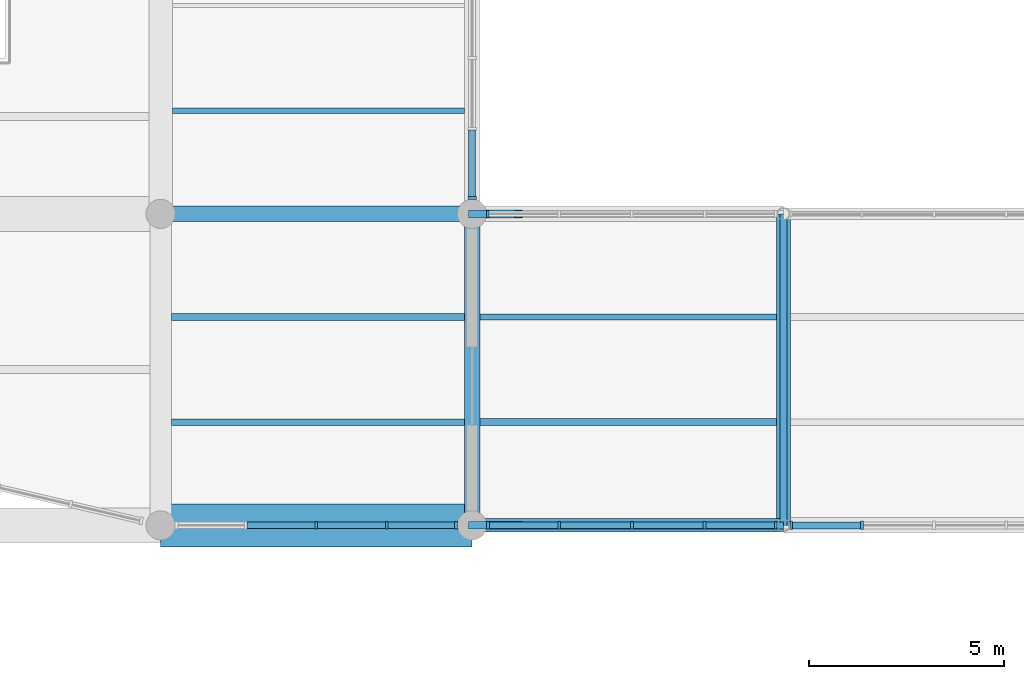
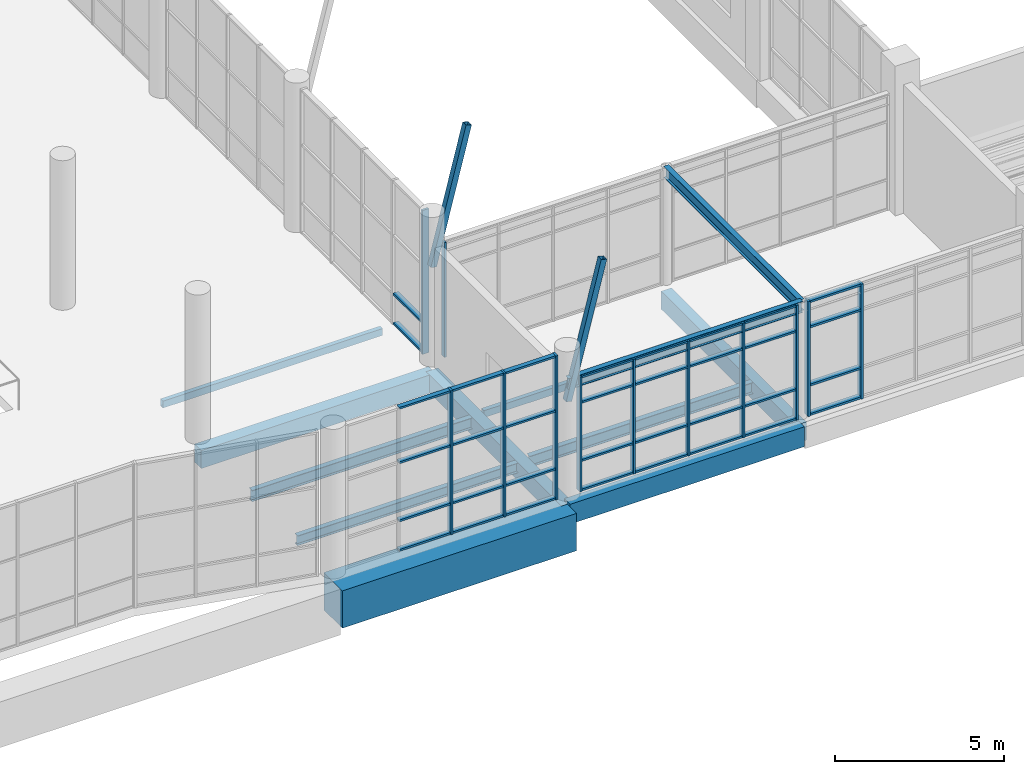
# One storey, part 27 of 122: 48 members, 12 beams, 5 elements without a shape of their own.
"""IFC4 building model written with IfcOpenShell, lengths in metres."""

import ifcopenshell
import ifcopenshell.guid

model = None  # the IFC model being written
_history = None  # IfcOwnerHistory: only IFC2X3 demands one
_inside = {}  # id of a spatial element -> (the spatial element, [elements in it])
_under = {}  # id of a project, library or spatial element -> (it, [spatial elements below it])
_declared = {}  # id of a project -> (the project, [libraries it declares])
_typed = {}  # id of a type object -> (the type object, [elements of that type])
_made_of = {}  # id of a material, layer set ... -> (it, [elements and type objects made of it])


def new_model(schema):
    """Start an empty IFC model of exactly this schema.

    Asked for "IFC4X3", IfcOpenShell would pick the latest addendum, in which some entities
    have other attributes; the version numbers below select the first issue.
    IFC2X3 requires an IfcOwnerHistory on every rooted entity: one is made here for all.
    """
    global model, _history
    if schema == "IFC4X3":
        model = ifcopenshell.file(schema_version=(4, 3, 0, 0))
    else:
        model = ifcopenshell.file(schema=schema)
    _inside.clear()
    _under.clear()
    _declared.clear()
    _typed.clear()
    _made_of.clear()
    _history = None
    if model.schema == "IFC2X3":
        org = make("IfcOrganization", Name="unknown")
        user = make(
            "IfcPersonAndOrganization",
            ThePerson=make("IfcPerson", FamilyName="unknown"),
            TheOrganization=org,
        )
        app = make(
            "IfcApplication",
            ApplicationDeveloper=org,
            Version="unknown",
            ApplicationFullName="unknown",
            ApplicationIdentifier="unknown",
        )
        _history = make(
            "IfcOwnerHistory",
            OwningUser=user,
            OwningApplication=app,
            ChangeAction="ADDED",
            CreationDate=0,
        )
    return model


def make(cls, **values):
    """One entity of the class cls with the attributes given. An attribute that is None is left unset."""
    return model.create_entity(
        cls, **{name: value for name, value in values.items() if value is not None}
    )


def rooted(cls, **values):
    """An entity with a GlobalId (a new one), such as an element, a storey or a relation."""
    return make(cls, GlobalId=ifcopenshell.guid.new(), OwnerHistory=_history, **values)


def si_unit(unit_type, name, prefix=None):
    """IfcSIUnit, for example si_unit("LENGTHUNIT", "METRE", prefix="MILLI")."""
    return make("IfcSIUnit", UnitType=unit_type, Prefix=prefix, Name=name)


def assignment(units):
    """IfcUnitAssignment: the units of a project."""
    return None if units is None else make("IfcUnitAssignment", Units=units)


def point(xyz):
    """IfcCartesianPoint."""
    return None if xyz is None else make("IfcCartesianPoint", Coordinates=xyz)


def direction(xyz):
    """IfcDirection."""
    return None if xyz is None else make("IfcDirection", DirectionRatios=xyz)


def frame(location, z_axis=None, x_axis=None):
    """IfcAxis2Placement3D, a coordinate frame: its origin and axes. An axis left out is left unset."""
    return make(
        "IfcAxis2Placement3D",
        Location=point(location),
        Axis=direction(z_axis),
        RefDirection=direction(x_axis),
    )


def frame_2d(location, x_axis=None):
    """IfcAxis2Placement2D, a coordinate frame in the plane: its origin and x axis."""
    return make(
        "IfcAxis2Placement2D", Location=point(location), RefDirection=direction(x_axis)
    )


def origin():
    """The frame at (0, 0, 0) with its axes left unset."""
    return frame((0.0, 0.0, 0.0))


def origin_2d():
    """The frame at (0, 0) in the plane with its x axis left unset."""
    return frame_2d((0.0, 0.0))


def place(relative_to, where):
    """IfcLocalPlacement: puts the frame where relative to a parent placement (None: the world)."""
    return make(
        "IfcLocalPlacement", PlacementRelTo=relative_to, RelativePlacement=where
    )


def context(
    kind, dimensions, precision=None, world=None, true_north=None, identifier=None
):
    """IfcGeometricRepresentationContext, for example the 3D "Model" context."""
    return make(
        "IfcGeometricRepresentationContext",
        ContextIdentifier=identifier,
        ContextType=kind,
        CoordinateSpaceDimension=dimensions,
        Precision=precision,
        WorldCoordinateSystem=world,
        TrueNorth=true_north,
    )


def subcontext(parent, identifier, kind, view, scale=None):
    """IfcGeometricRepresentationSubContext, for example "Body" below "Model"."""
    return make(
        "IfcGeometricRepresentationSubContext",
        ContextIdentifier=identifier,
        ContextType=kind,
        ParentContext=parent,
        TargetScale=scale,
        TargetView=view,
    )


def project(units=None, contexts=None):
    """IfcProject with its units and contexts."""
    return rooted(
        "IfcProject",
        Name="project",
        RepresentationContexts=contexts,
        UnitsInContext=assignment(units),
    )


def spatial(cls, under=None, at=None, **own):
    """A site, building, storey or space (cls), placed at a placement, below another one or the project."""
    s = rooted(cls, ObjectPlacement=at, **own)
    if under is not None:
        _under.setdefault(under.id(), (under, []))[1].append(s)
    return s


def profile(cls, at=None, kind="AREA", **sizes):
    """A parametric profile (cls). Its sizes go by their IFC names, for example OverallWidth=200.0."""
    return make(cls, ProfileType=kind, Position=at, **sizes)


def rectangle(**sizes):
    """IfcRectangleProfileDef."""
    return profile("IfcRectangleProfileDef", **sizes)


def hollow_rectangle(**sizes):
    """IfcRectangleHollowProfileDef."""
    return profile("IfcRectangleHollowProfileDef", **sizes)


def i_section(**sizes):
    """IfcIShapeProfileDef."""
    return profile("IfcIShapeProfileDef", **sizes)


def extrude(swept, where, along, depth):
    """IfcExtrudedAreaSolid: the profile swept, set in the frame where, extruded along a direction by depth."""
    return make(
        "IfcExtrudedAreaSolid",
        SweptArea=swept,
        Position=where,
        ExtrudedDirection=direction(along),
        Depth=depth,
    )


def shape(context_of_items, identifier, shape_type, items):
    """IfcShapeRepresentation: the items that make up one representation, for example the "Body"."""
    return make(
        "IfcShapeRepresentation",
        ContextOfItems=context_of_items,
        RepresentationIdentifier=identifier,
        RepresentationType=shape_type,
        Items=items,
    )


def material(Name=None, Category=None):
    """IfcMaterial."""
    return make("IfcMaterial", Name=Name, Category=Category)


def material_profile(
    of_material, cross_section, Name=None, Category=None, Priority=None
):
    """IfcMaterialProfile: a cross section and its material."""
    return make(
        "IfcMaterialProfile",
        Name=Name,
        Material=of_material,
        Profile=cross_section,
        Priority=Priority,
        Category=Category,
    )


def profile_set(profiles, Name=None, composite=None):
    """IfcMaterialProfileSet."""
    return make(
        "IfcMaterialProfileSet",
        Name=Name,
        MaterialProfiles=profiles,
        CompositeProfile=composite,
    )


def made_of(thing, what):
    """Note that an element or type object is made of a material, layer set ...; save() writes the relation."""
    if what is not None:
        _made_of.setdefault(what.id(), (what, []))[1].append(thing)
    return thing


def type_object(cls, material=None, **own):
    """A type object (cls), such as IfcWallType, which elements share."""
    return made_of(rooted(cls, **own), material)


def element(
    cls,
    number,
    at=None,
    inside=None,
    cuts=None,
    type_object=None,
    material=None,
    context=None,
    identifier="Body",
    shape_type=None,
    held_by="IfcProductDefinitionShape",
    body=None,
    shapes=None,
    **own,
):
    """One element of the class cls, such as IfcWall. Its Tag is "e" and its number.

    at: its placement. inside: the storey or other place that contains it. cuts: it is an
    opening in that element (IfcRelVoidsElement). A single representation is given by context,
    identifier, shape_type and body (its items); several are given by shapes. held_by: the class
    of the entity that holds the representations. save() writes the other relations.
    """
    e = rooted(cls, Tag="e%d" % number, ObjectPlacement=at, **own)
    if body is not None:
        shapes = [shape(context, identifier, shape_type, body)]
    if shapes is not None:
        e.Representation = make(held_by, Representations=shapes)
    if inside is not None:
        _inside.setdefault(inside.id(), (inside, []))[1].append(e)
    if cuts is not None:
        rooted(
            "IfcRelVoidsElement", RelatingBuildingElement=cuts, RelatedOpeningElement=e
        )
    if type_object is not None:
        _typed.setdefault(type_object.id(), (type_object, []))[1].append(e)
    return made_of(e, material)


def aggregate(whole, parts):
    """IfcRelAggregates: a whole, such as a stair, and the parts it consists of."""
    return rooted("IfcRelAggregates", RelatingObject=whole, RelatedObjects=parts)


def save(model, path):
    """Write the relations noted so far, then the file.

    IfcRelAggregates (storeys below a building ...), IfcRelContainedInSpatialStructure (elements
    in a storey), IfcRelDefinesByType, IfcRelAssociatesMaterial and IfcRelDeclares: one each for
    every whole, place, type object, material and project.
    """
    for whole, parts in _under.values():
        aggregate(whole, parts)
    for where, things in _inside.values():
        rooted(
            "IfcRelContainedInSpatialStructure",
            RelatedElements=things,
            RelatingStructure=where,
        )
    for kind, things in _typed.values():
        rooted("IfcRelDefinesByType", RelatedObjects=things, RelatingType=kind)
    for what, things in _made_of.values():
        rooted("IfcRelAssociatesMaterial", RelatedObjects=things, RelatingMaterial=what)
    for by, libraries in _declared.values():
        rooted("IfcRelDeclares", RelatingContext=by, RelatedDefinitions=libraries)
    model.write(path)


model = new_model("IFC4")

# Units and contexts
model_context = context("Model", 3, precision=1e-05, world=origin(), true_north=direction((0.0, 1.0)))
body_context = subcontext(model_context, "Body", "Model", "MODEL_VIEW")
ifc_project = project(units=[si_unit("LENGTHUNIT", "METRE"), si_unit("AREAUNIT", "SQUARE_METRE"), si_unit("VOLUMEUNIT", "CUBIC_METRE"), si_unit("PLANEANGLEUNIT", "RADIAN"), si_unit("MASSUNIT", "GRAM", prefix="KILO")], contexts=[model_context])

# Site, building, storey
site_placement = place(None, origin())
site = spatial("IfcSite", under=ifc_project, at=site_placement, CompositionType="ELEMENT")
building_placement = place(site_placement, origin())
building = spatial("IfcBuilding", under=site, at=building_placement, Name="Tenunan Teduh Sports Hall", CompositionType="ELEMENT")
storey_placement = place(building_placement, frame((0.0, 0.0, 5.39990234375)))
storey = spatial("IfcBuildingStorey", under=building, at=storey_placement, Name="L01", CompositionType="ELEMENT", Elevation=5.39990234375)

# Beams
ifc_material_1 = material(Name="Concrete C40/50", Category="concrete")
ifc_material_profile_1 = material_profile(ifc_material_1, rectangle(XDim=0.35009765625, YDim=0.64990234375, at=origin_2d()), Name="RCB 350x650")
ifc_profile_set_1 = profile_set([ifc_material_profile_1], Name="Concrete C40/50")
beam_type_1 = type_object("IfcBeamType", Name="BM-RC-350x650", PredefinedType="BEAM", material=ifc_profile_set_1)
beam_1_placement = place(storey_placement, frame((114.0, 38.0, -0.5849609375), z_axis=(0.0, 1.0, 0.0), x_axis=(-1.0, 0.0, 0.0)))
element("IfcBeam", 1, at=beam_1_placement, inside=storey, type_object=beam_type_1, Name="BM-B-05-L01-1260", PredefinedType="BEAM", context=body_context, shape_type="SweptSolid", body=[
    extrude(rectangle(XDim=0.35009765625, YDim=0.64990234375, at=origin_2d()), origin(), (0.0, 0.0, 1.0), 8.0),
])
ifc_material_2 = material(Name="Concrete C40/50", Category="concrete")
ifc_material_profile_2 = material_profile(ifc_material_2, rectangle(XDim=0.39990234375, YDim=0.64990234375, at=origin_2d()), Name="RCB 400x650")
ifc_profile_set_2 = profile_set([ifc_material_profile_2], Name="Concrete C40/50")
beam_type_2 = type_object("IfcBeamType", Name="BM-RC-400x650", PredefinedType="BEAM", material=ifc_profile_set_2)
for number, where, z_axis, x_axis, name in (
    (2, (98.0, 46.0, -0.684814453125), (1.0, 0.0, 0.0), (0.0, 1.0, 0.0), "BM-B-07-L01-1079"),
    (3, (106.0, 38.0, -0.684814453125), (0.0, 1.0, 0.0), (-1.0, 0.0, 0.0), "BM-B-07-L01-1252"),
):
    element("IfcBeam", number, at=place(storey_placement, frame(where, z_axis=z_axis, x_axis=x_axis)), inside=storey, type_object=beam_type_2, Name=name, PredefinedType="BEAM", context=body_context, shape_type="SweptSolid", body=[
        extrude(rectangle(XDim=0.39990234375, YDim=0.64990234375, at=origin_2d()), origin(), (0.0, 0.0, 1.0), 8.0),
    ])
ifc_material_3 = material(Name="Concrete C40/50", Category="concrete")
ifc_material_profile_3 = material_profile(ifc_material_3, rectangle(XDim=0.35009765625, YDim=0.719970703125, at=origin_2d()), Name="TB 350x720")
ifc_profile_set_3 = profile_set([ifc_material_profile_3], Name="Concrete C40/50")
beam_type_3 = type_object("IfcBeamType", Name="BM-TB-350x720", PredefinedType="T_BEAM", material=ifc_profile_set_3)
beam_2_placement = place(storey_placement, frame((106.0, 38.0, -0.619873046875), z_axis=(1.0, 0.0, 0.0), x_axis=(0.0, 1.0, 0.0)))
element("IfcBeam", 4, at=beam_2_placement, inside=storey, type_object=beam_type_3, Name="BM-TB-01-L01-1062", PredefinedType="T_BEAM", context=body_context, shape_type="SweptSolid", body=[
    extrude(rectangle(XDim=0.35009765625, YDim=0.719970703125, at=origin_2d()), origin(), (0.0, 0.0, 1.0), 8.0),
])

# Curtain wall, member
ifc_material_4 = material(Name="Anodised aluminium", Category="aluminium")
curtain_wall_type_1 = type_object("IfcCurtainWallType", Name="CW-UNIT-2", PredefinedType="NOTDEFINED", material=ifc_material_4)
curtain_wall_1_placement = place(storey_placement, origin())
curtain_wall_1 = element("IfcCurtainWall", 5, at=curtain_wall_1_placement, inside=storey, type_object=curtain_wall_type_1, Name="CW-CWM-175-L01-182", PredefinedType="NOTDEFINED")
ifc_material_5 = material(Name="Anodised aluminium", Category="aluminium")
ifc_material_profile_4 = material_profile(ifc_material_5, rectangle(XDim=0.06494140625, YDim=0.175048828125, at=origin_2d()), Name="CWM 65x175")
ifc_profile_set_4 = profile_set([ifc_material_profile_4], Name="Anodised aluminium")
member_type_1 = type_object("IfcMemberType", Name="CWM-175", PredefinedType="MULLION", material=ifc_profile_set_4)
member_1_placement = place(storey_placement, frame((106.407470703125, 46.0, 0.0), z_axis=(0.0, 0.0, 1.0), x_axis=(1.0, 0.0, 0.0)))
member_1 = element("IfcMember", 6, at=member_1_placement, type_object=member_type_1, Name="CW-02 mullion 1", PredefinedType="MULLION", context=body_context, shape_type="SweptSolid", body=[
    extrude(rectangle(XDim=0.06494140625, YDim=0.175048828125, at=origin_2d()), origin(), (0.0, 0.0, 1.0), 4.150146484375),
])
aggregate(curtain_wall_1, [member_1])

# Curtain wall, members
ifc_material_6 = material(Name="Anodised aluminium", Category="aluminium")
curtain_wall_type_2 = type_object("IfcCurtainWallType", Name="CW-UNIT-1", PredefinedType="NOTDEFINED", material=ifc_material_6)
curtain_wall_2_placement = place(storey_placement, origin())
curtain_wall_2 = element("IfcCurtainWall", 7, at=curtain_wall_2_placement, inside=storey, type_object=curtain_wall_type_2, Name="CW-CWM-200-L01-164", PredefinedType="NOTDEFINED")
ifc_material_7 = material(Name="Anodised aluminium", Category="aluminium")
ifc_material_profile_5 = material_profile(ifc_material_7, rectangle(XDim=0.070068359375, YDim=0.199951171875, at=origin_2d()), Name="CWM 70x200")
ifc_profile_set_5 = profile_set([ifc_material_profile_5], Name="Anodised aluminium")
member_type_2 = type_object("IfcMemberType", Name="CWM-200", PredefinedType="MULLION", material=ifc_profile_set_5)
member_2_placement = place(storey_placement, frame((102.0, 38.0, 0.0), z_axis=(0.0, 0.0, 1.0), x_axis=(1.0, 0.0, 0.0)))
member_2 = element("IfcMember", 8, at=member_2_placement, type_object=member_type_2, Name="CW-01 mullion 3", PredefinedType="MULLION", context=body_context, shape_type="SweptSolid", body=[
    extrude(rectangle(XDim=0.070068359375, YDim=0.199951171875, at=origin_2d()), origin(), (0.0, 0.0, 1.0), 5.2001953125),
])
member_3_placement = place(storey_placement, frame((103.8125, 38.0, 0.0), z_axis=(0.0, 0.0, 1.0), x_axis=(1.0, 0.0, 0.0)))
member_3 = element("IfcMember", 9, at=member_3_placement, type_object=member_type_2, Name="CW-01 mullion 4", PredefinedType="MULLION", context=body_context, shape_type="SweptSolid", body=[
    extrude(rectangle(XDim=0.070068359375, YDim=0.199951171875, at=origin_2d()), origin(), (0.0, 0.0, 1.0), 5.2001953125),
])
member_4_placement = place(storey_placement, frame((105.590087890625, 38.0, 0.0), z_axis=(0.0, 0.0, 1.0), x_axis=(1.0, 0.0, 0.0)))
member_4 = element("IfcMember", 10, at=member_4_placement, type_object=member_type_2, Name="CW-01 mullion 5", PredefinedType="MULLION", context=body_context, shape_type="SweptSolid", body=[
    extrude(rectangle(XDim=0.070068359375, YDim=0.199951171875, at=origin_2d()), origin(), (0.0, 0.0, 1.0), 5.2001953125),
])

curtain_wall_3_placement = place(storey_placement, origin())
curtain_wall_3 = element("IfcCurtainWall", 11, at=curtain_wall_3_placement, inside=storey, type_object=curtain_wall_type_1, Name="CW-CWM-200-L01-180", PredefinedType="NOTDEFINED")
member_5_placement = place(storey_placement, frame((106.409912109375, 38.0, 0.0), z_axis=(0.0, 0.0, 1.0), x_axis=(1.0, 0.0, 0.0)))
member_5 = element("IfcMember", 12, at=member_5_placement, type_object=member_type_2, Name="CW-02 mullion 1", PredefinedType="MULLION", context=body_context, shape_type="SweptSolid", body=[
    extrude(rectangle(XDim=0.070068359375, YDim=0.199951171875, at=origin_2d()), origin(), (0.0, 0.0, 1.0), 4.150146484375),
])
member_6_placement = place(storey_placement, frame((108.24072265625, 38.0, 0.0), z_axis=(0.0, 0.0, 1.0), x_axis=(1.0, 0.0, 0.0)))
member_6 = element("IfcMember", 13, at=member_6_placement, type_object=member_type_2, Name="CW-02 mullion 2", PredefinedType="MULLION", context=body_context, shape_type="SweptSolid", body=[
    extrude(rectangle(XDim=0.070068359375, YDim=0.199951171875, at=origin_2d()), origin(), (0.0, 0.0, 1.0), 4.150146484375),
])
member_7_placement = place(storey_placement, frame((110.1064453125, 38.0, 0.0), z_axis=(0.0, 0.0, 1.0), x_axis=(1.0, 0.0, 0.0)))
member_7 = element("IfcMember", 14, at=member_7_placement, type_object=member_type_2, Name="CW-02 mullion 3", PredefinedType="MULLION", context=body_context, shape_type="SweptSolid", body=[
    extrude(rectangle(XDim=0.070068359375, YDim=0.199951171875, at=origin_2d()), origin(), (0.0, 0.0, 1.0), 4.150146484375),
])
member_8_placement = place(storey_placement, frame((111.97216796875, 38.0, 0.0), z_axis=(0.0, 0.0, 1.0), x_axis=(1.0, 0.0, 0.0)))
member_8 = element("IfcMember", 15, at=member_8_placement, type_object=member_type_2, Name="CW-02 mullion 4", PredefinedType="MULLION", context=body_context, shape_type="SweptSolid", body=[
    extrude(rectangle(XDim=0.070068359375, YDim=0.199951171875, at=origin_2d()), origin(), (0.0, 0.0, 1.0), 4.150146484375),
])
member_9_placement = place(storey_placement, frame((113.802978515625, 38.0, 0.0), z_axis=(0.0, 0.0, 1.0), x_axis=(1.0, 0.0, 0.0)))
member_9 = element("IfcMember", 16, at=member_9_placement, type_object=member_type_2, Name="CW-02 mullion 5", PredefinedType="MULLION", context=body_context, shape_type="SweptSolid", body=[
    extrude(rectangle(XDim=0.070068359375, YDim=0.199951171875, at=origin_2d()), origin(), (0.0, 0.0, 1.0), 4.150146484375),
])

# Curtain wall, member
curtain_wall_4_placement = place(storey_placement, origin())
curtain_wall_4 = element("IfcCurtainWall", 17, at=curtain_wall_4_placement, inside=storey, type_object=curtain_wall_type_2, Name="CW-CWM-220-L01-173", PredefinedType="NOTDEFINED")
ifc_material_8 = material(Name="Anodised aluminium", Category="aluminium")
ifc_material_profile_6 = material_profile(ifc_material_8, rectangle(XDim=0.074951171875, YDim=0.219970703125, at=origin_2d()), Name="CWM 75x220")
ifc_profile_set_6 = profile_set([ifc_material_profile_6], Name="Anodised aluminium")
member_type_3 = type_object("IfcMemberType", Name="CWM-220", PredefinedType="MULLION", material=ifc_profile_set_6)
member_10_placement = place(storey_placement, frame((106.0, 46.41259765625, 0.0), z_axis=(0.0, 0.0, 1.0), x_axis=(0.0, 1.0, 0.0)))
member_10 = element("IfcMember", 18, at=member_10_placement, type_object=member_type_3, Name="CW-01 mullion 1", PredefinedType="MULLION", context=body_context, shape_type="SweptSolid", body=[
    extrude(rectangle(XDim=0.074951171875, YDim=0.219970703125, at=origin_2d()), origin(), (0.0, 0.0, 1.0), 5.2001953125),
])

# Curtain wall, members
curtain_wall_5_placement = place(storey_placement, origin())
curtain_wall_5 = element("IfcCurtainWall", 19, at=curtain_wall_5_placement, inside=storey, type_object=curtain_wall_type_1, Name="CW-CWM-220-L01-181", PredefinedType="NOTDEFINED")
member_11_placement = place(storey_placement, frame((114.199462890625, 38.0, 0.0), z_axis=(0.0, 0.0, 1.0), x_axis=(1.0, 0.0, 0.0)))
member_11 = element("IfcMember", 20, at=member_11_placement, type_object=member_type_3, Name="CW-02 mullion 1", PredefinedType="MULLION", context=body_context, shape_type="SweptSolid", body=[
    extrude(rectangle(XDim=0.074951171875, YDim=0.219970703125, at=origin_2d()), origin(), (0.0, 0.0, 1.0), 4.150146484375),
])
member_12_placement = place(storey_placement, frame((116.01513671875, 38.0, 0.0), z_axis=(0.0, 0.0, 1.0), x_axis=(1.0, 0.0, 0.0)))
member_12 = element("IfcMember", 21, at=member_12_placement, type_object=member_type_3, Name="CW-02 mullion 2", PredefinedType="MULLION", context=body_context, shape_type="SweptSolid", body=[
    extrude(rectangle(XDim=0.074951171875, YDim=0.219970703125, at=origin_2d()), origin(), (0.0, 0.0, 1.0), 4.150146484375),
])

# Member
ifc_material_9 = material(Name="Anodised aluminium", Category="aluminium")
ifc_material_profile_7 = material_profile(ifc_material_9, rectangle(XDim=0.074951171875, YDim=0.179931640625, at=origin_2d()), Name="CWT 75x180")
ifc_profile_set_7 = profile_set([ifc_material_profile_7], Name="Anodised aluminium")
member_type_4 = type_object("IfcMemberType", Name="CWT-180", PredefinedType="USERDEFINED", material=ifc_profile_set_7)
member_13_placement = place(storey_placement, frame((106.0, 46.449951171875, 0.03759765625), z_axis=(0.0, 1.0, 0.0), x_axis=(0.0, 0.0, 1.0)))
member_13 = element("IfcMember", 22, at=member_13_placement, type_object=member_type_4, Name="CW-01 transom 1.1", ObjectType="TRANSOM", PredefinedType="USERDEFINED", context=body_context, shape_type="SweptSolid", body=[
    extrude(rectangle(XDim=0.074951171875, YDim=0.179931640625, at=origin_2d()), origin(), (0.0, 0.0, 1.0), 1.699951171875),
])

member_14_placement = place(storey_placement, frame((106.0, 46.449951171875, 1.10009765625), z_axis=(0.0, 1.0, 0.0), x_axis=(0.0, 0.0, 1.0)))
member_14 = element("IfcMember", 23, at=member_14_placement, type_object=member_type_4, Name="CW-01 transom 1.2", ObjectType="TRANSOM", PredefinedType="USERDEFINED", context=body_context, shape_type="SweptSolid", body=[
    extrude(rectangle(XDim=0.074951171875, YDim=0.179931640625, at=origin_2d()), origin(), (0.0, 0.0, 1.0), 1.699951171875),
])

aggregate(curtain_wall_4, [member_10, member_13, member_14])

member_15_placement = place(storey_placement, frame((114.237060546875, 38.0, 0.03759765625), z_axis=(1.0, 0.0, 0.0), x_axis=(0.0, 0.0, 1.0)))
member_15 = element("IfcMember", 24, at=member_15_placement, type_object=member_type_4, Name="CW-02 transom 1.1", ObjectType="TRANSOM", PredefinedType="USERDEFINED", context=body_context, shape_type="SweptSolid", body=[
    extrude(rectangle(XDim=0.074951171875, YDim=0.179931640625, at=origin_2d()), origin(), (0.0, 0.0, 1.0), 1.74072265625),
])

member_16_placement = place(storey_placement, frame((114.237060546875, 38.0, 1.10009765625), z_axis=(1.0, 0.0, 0.0), x_axis=(0.0, 0.0, 1.0)))
member_16 = element("IfcMember", 25, at=member_16_placement, type_object=member_type_4, Name="CW-02 transom 1.2", ObjectType="TRANSOM", PredefinedType="USERDEFINED", context=body_context, shape_type="SweptSolid", body=[
    extrude(rectangle(XDim=0.074951171875, YDim=0.179931640625, at=origin_2d()), origin(), (0.0, 0.0, 1.0), 1.74072265625),
])

member_17_placement = place(storey_placement, frame((114.237060546875, 38.0, 3.2001953125), z_axis=(1.0, 0.0, 0.0), x_axis=(0.0, 0.0, 1.0)))
member_17 = element("IfcMember", 26, at=member_17_placement, type_object=member_type_4, Name="CW-02 transom 1.3", ObjectType="TRANSOM", PredefinedType="USERDEFINED", context=body_context, shape_type="SweptSolid", body=[
    extrude(rectangle(XDim=0.074951171875, YDim=0.179931640625, at=origin_2d()), origin(), (0.0, 0.0, 1.0), 1.74072265625),
])

member_18_placement = place(storey_placement, frame((114.237060546875, 38.0, 4.112548828125), z_axis=(1.0, 0.0, 0.0), x_axis=(0.0, 0.0, 1.0)))
member_18 = element("IfcMember", 27, at=member_18_placement, type_object=member_type_4, Name="CW-02 transom 1.4", ObjectType="TRANSOM", PredefinedType="USERDEFINED", context=body_context, shape_type="SweptSolid", body=[
    extrude(rectangle(XDim=0.074951171875, YDim=0.179931640625, at=origin_2d()), origin(), (0.0, 0.0, 1.0), 1.74072265625),
])

aggregate(curtain_wall_5, [member_11, member_12, member_15, member_16, member_17, member_18])

ifc_material_10 = material(Name="Anodised aluminium", Category="aluminium")
ifc_material_profile_8 = material_profile(ifc_material_10, rectangle(XDim=0.070068359375, YDim=0.159912109375, at=origin_2d()), Name="CWT 70x160")
ifc_profile_set_8 = profile_set([ifc_material_profile_8], Name="Anodised aluminium")
member_type_5 = type_object("IfcMemberType", Name="CWT-200", PredefinedType="USERDEFINED", material=ifc_profile_set_8)
member_19_placement = place(storey_placement, frame((100.222412109375, 38.0, 0.03515625), z_axis=(1.0, 0.0, 0.0), x_axis=(0.0, 0.0, 1.0)))
member_19 = element("IfcMember", 28, at=member_19_placement, type_object=member_type_5, Name="CW-01 transom 2.1", ObjectType="TRANSOM", PredefinedType="USERDEFINED", context=body_context, shape_type="SweptSolid", body=[
    extrude(rectangle(XDim=0.070068359375, YDim=0.159912109375, at=origin_2d()), origin(), (0.0, 0.0, 1.0), 1.74267578125),
])

member_20_placement = place(storey_placement, frame((100.222412109375, 38.0, 1.10009765625), z_axis=(1.0, 0.0, 0.0), x_axis=(0.0, 0.0, 1.0)))
member_20 = element("IfcMember", 29, at=member_20_placement, type_object=member_type_5, Name="CW-01 transom 2.2", ObjectType="TRANSOM", PredefinedType="USERDEFINED", context=body_context, shape_type="SweptSolid", body=[
    extrude(rectangle(XDim=0.070068359375, YDim=0.159912109375, at=origin_2d()), origin(), (0.0, 0.0, 1.0), 1.74267578125),
])

member_21_placement = place(storey_placement, frame((100.222412109375, 38.0, 3.2001953125), z_axis=(1.0, 0.0, 0.0), x_axis=(0.0, 0.0, 1.0)))
member_21 = element("IfcMember", 30, at=member_21_placement, type_object=member_type_5, Name="CW-01 transom 2.3", ObjectType="TRANSOM", PredefinedType="USERDEFINED", context=body_context, shape_type="SweptSolid", body=[
    extrude(rectangle(XDim=0.070068359375, YDim=0.159912109375, at=origin_2d()), origin(), (0.0, 0.0, 1.0), 1.74267578125),
])

member_22_placement = place(storey_placement, frame((100.222412109375, 38.0, 5.1650390625), z_axis=(1.0, 0.0, 0.0), x_axis=(0.0, 0.0, 1.0)))
member_22 = element("IfcMember", 31, at=member_22_placement, type_object=member_type_5, Name="CW-01 transom 2.4", ObjectType="TRANSOM", PredefinedType="USERDEFINED", context=body_context, shape_type="SweptSolid", body=[
    extrude(rectangle(XDim=0.070068359375, YDim=0.159912109375, at=origin_2d()), origin(), (0.0, 0.0, 1.0), 1.74267578125),
])

member_23_placement = place(storey_placement, frame((102.034912109375, 38.0, 0.03515625), z_axis=(1.0, 0.0, 0.0), x_axis=(0.0, 0.0, 1.0)))
member_23 = element("IfcMember", 32, at=member_23_placement, type_object=member_type_5, Name="CW-01 transom 3.1", ObjectType="TRANSOM", PredefinedType="USERDEFINED", context=body_context, shape_type="SweptSolid", body=[
    extrude(rectangle(XDim=0.070068359375, YDim=0.159912109375, at=origin_2d()), origin(), (0.0, 0.0, 1.0), 1.74267578125),
])

member_24_placement = place(storey_placement, frame((102.034912109375, 38.0, 1.10009765625), z_axis=(1.0, 0.0, 0.0), x_axis=(0.0, 0.0, 1.0)))
member_24 = element("IfcMember", 33, at=member_24_placement, type_object=member_type_5, Name="CW-01 transom 3.2", ObjectType="TRANSOM", PredefinedType="USERDEFINED", context=body_context, shape_type="SweptSolid", body=[
    extrude(rectangle(XDim=0.070068359375, YDim=0.159912109375, at=origin_2d()), origin(), (0.0, 0.0, 1.0), 1.74267578125),
])

member_25_placement = place(storey_placement, frame((102.034912109375, 38.0, 3.2001953125), z_axis=(1.0, 0.0, 0.0), x_axis=(0.0, 0.0, 1.0)))
member_25 = element("IfcMember", 34, at=member_25_placement, type_object=member_type_5, Name="CW-01 transom 3.3", ObjectType="TRANSOM", PredefinedType="USERDEFINED", context=body_context, shape_type="SweptSolid", body=[
    extrude(rectangle(XDim=0.070068359375, YDim=0.159912109375, at=origin_2d()), origin(), (0.0, 0.0, 1.0), 1.74267578125),
])

member_26_placement = place(storey_placement, frame((102.034912109375, 38.0, 5.1650390625), z_axis=(1.0, 0.0, 0.0), x_axis=(0.0, 0.0, 1.0)))
member_26 = element("IfcMember", 35, at=member_26_placement, type_object=member_type_5, Name="CW-01 transom 3.4", ObjectType="TRANSOM", PredefinedType="USERDEFINED", context=body_context, shape_type="SweptSolid", body=[
    extrude(rectangle(XDim=0.070068359375, YDim=0.159912109375, at=origin_2d()), origin(), (0.0, 0.0, 1.0), 1.74267578125),
])

member_27_placement = place(storey_placement, frame((103.847412109375, 38.0, 0.03515625), z_axis=(1.0, 0.0, 0.0), x_axis=(0.0, 0.0, 1.0)))
member_27 = element("IfcMember", 36, at=member_27_placement, type_object=member_type_5, Name="CW-01 transom 4.1", ObjectType="TRANSOM", PredefinedType="USERDEFINED", context=body_context, shape_type="SweptSolid", body=[
    extrude(rectangle(XDim=0.070068359375, YDim=0.159912109375, at=origin_2d()), origin(), (0.0, 0.0, 1.0), 1.70751953125),
])

member_28_placement = place(storey_placement, frame((103.847412109375, 38.0, 1.10009765625), z_axis=(1.0, 0.0, 0.0), x_axis=(0.0, 0.0, 1.0)))
member_28 = element("IfcMember", 37, at=member_28_placement, type_object=member_type_5, Name="CW-01 transom 4.2", ObjectType="TRANSOM", PredefinedType="USERDEFINED", context=body_context, shape_type="SweptSolid", body=[
    extrude(rectangle(XDim=0.070068359375, YDim=0.159912109375, at=origin_2d()), origin(), (0.0, 0.0, 1.0), 1.70751953125),
])

member_29_placement = place(storey_placement, frame((103.847412109375, 38.0, 3.2001953125), z_axis=(1.0, 0.0, 0.0), x_axis=(0.0, 0.0, 1.0)))
member_29 = element("IfcMember", 38, at=member_29_placement, type_object=member_type_5, Name="CW-01 transom 4.3", ObjectType="TRANSOM", PredefinedType="USERDEFINED", context=body_context, shape_type="SweptSolid", body=[
    extrude(rectangle(XDim=0.070068359375, YDim=0.159912109375, at=origin_2d()), origin(), (0.0, 0.0, 1.0), 1.70751953125),
])

member_30_placement = place(storey_placement, frame((103.847412109375, 38.0, 5.1650390625), z_axis=(1.0, 0.0, 0.0), x_axis=(0.0, 0.0, 1.0)))
member_30 = element("IfcMember", 39, at=member_30_placement, type_object=member_type_5, Name="CW-01 transom 4.4", ObjectType="TRANSOM", PredefinedType="USERDEFINED", context=body_context, shape_type="SweptSolid", body=[
    extrude(rectangle(XDim=0.070068359375, YDim=0.159912109375, at=origin_2d()), origin(), (0.0, 0.0, 1.0), 1.70751953125),
])

aggregate(curtain_wall_2, [member_2, member_3, member_4, member_19, member_20, member_21, member_22, member_23, member_24, member_25, member_26, member_27, member_28, member_29, member_30])

member_31_placement = place(storey_placement, frame((106.445068359375, 38.0, 0.03515625), z_axis=(1.0, 0.0, 0.0), x_axis=(0.0, 0.0, 1.0)))
member_31 = element("IfcMember", 40, at=member_31_placement, type_object=member_type_5, Name="CW-02 transom 1.1", ObjectType="TRANSOM", PredefinedType="USERDEFINED", context=body_context, shape_type="SweptSolid", body=[
    extrude(rectangle(XDim=0.070068359375, YDim=0.159912109375, at=origin_2d()), origin(), (0.0, 0.0, 1.0), 1.7607421875),
])

member_32_placement = place(storey_placement, frame((106.445068359375, 38.0, 1.10009765625), z_axis=(1.0, 0.0, 0.0), x_axis=(0.0, 0.0, 1.0)))
member_32 = element("IfcMember", 41, at=member_32_placement, type_object=member_type_5, Name="CW-02 transom 1.2", ObjectType="TRANSOM", PredefinedType="USERDEFINED", context=body_context, shape_type="SweptSolid", body=[
    extrude(rectangle(XDim=0.070068359375, YDim=0.159912109375, at=origin_2d()), origin(), (0.0, 0.0, 1.0), 1.7607421875),
])

member_33_placement = place(storey_placement, frame((106.445068359375, 38.0, 3.2001953125), z_axis=(1.0, 0.0, 0.0), x_axis=(0.0, 0.0, 1.0)))
member_33 = element("IfcMember", 42, at=member_33_placement, type_object=member_type_5, Name="CW-02 transom 1.3", ObjectType="TRANSOM", PredefinedType="USERDEFINED", context=body_context, shape_type="SweptSolid", body=[
    extrude(rectangle(XDim=0.070068359375, YDim=0.159912109375, at=origin_2d()), origin(), (0.0, 0.0, 1.0), 1.7607421875),
])

member_34_placement = place(storey_placement, frame((106.445068359375, 38.0, 4.114990234375), z_axis=(1.0, 0.0, 0.0), x_axis=(0.0, 0.0, 1.0)))
member_34 = element("IfcMember", 43, at=member_34_placement, type_object=member_type_5, Name="CW-02 transom 1.4", ObjectType="TRANSOM", PredefinedType="USERDEFINED", context=body_context, shape_type="SweptSolid", body=[
    extrude(rectangle(XDim=0.070068359375, YDim=0.159912109375, at=origin_2d()), origin(), (0.0, 0.0, 1.0), 1.7607421875),
])

member_35_placement = place(storey_placement, frame((108.275634765625, 38.0, 0.03515625), z_axis=(1.0, 0.0, 0.0), x_axis=(0.0, 0.0, 1.0)))
member_35 = element("IfcMember", 44, at=member_35_placement, type_object=member_type_5, Name="CW-02 transom 2.1", ObjectType="TRANSOM", PredefinedType="USERDEFINED", context=body_context, shape_type="SweptSolid", body=[
    extrude(rectangle(XDim=0.070068359375, YDim=0.159912109375, at=origin_2d()), origin(), (0.0, 0.0, 1.0), 1.7958984375),
])

member_36_placement = place(storey_placement, frame((108.275634765625, 38.0, 1.10009765625), z_axis=(1.0, 0.0, 0.0), x_axis=(0.0, 0.0, 1.0)))
member_36 = element("IfcMember", 45, at=member_36_placement, type_object=member_type_5, Name="CW-02 transom 2.2", ObjectType="TRANSOM", PredefinedType="USERDEFINED", context=body_context, shape_type="SweptSolid", body=[
    extrude(rectangle(XDim=0.070068359375, YDim=0.159912109375, at=origin_2d()), origin(), (0.0, 0.0, 1.0), 1.7958984375),
])

member_37_placement = place(storey_placement, frame((108.275634765625, 38.0, 3.2001953125), z_axis=(1.0, 0.0, 0.0), x_axis=(0.0, 0.0, 1.0)))
member_37 = element("IfcMember", 46, at=member_37_placement, type_object=member_type_5, Name="CW-02 transom 2.3", ObjectType="TRANSOM", PredefinedType="USERDEFINED", context=body_context, shape_type="SweptSolid", body=[
    extrude(rectangle(XDim=0.070068359375, YDim=0.159912109375, at=origin_2d()), origin(), (0.0, 0.0, 1.0), 1.7958984375),
])

member_38_placement = place(storey_placement, frame((108.275634765625, 38.0, 4.114990234375), z_axis=(1.0, 0.0, 0.0), x_axis=(0.0, 0.0, 1.0)))
member_38 = element("IfcMember", 47, at=member_38_placement, type_object=member_type_5, Name="CW-02 transom 2.4", ObjectType="TRANSOM", PredefinedType="USERDEFINED", context=body_context, shape_type="SweptSolid", body=[
    extrude(rectangle(XDim=0.070068359375, YDim=0.159912109375, at=origin_2d()), origin(), (0.0, 0.0, 1.0), 1.7958984375),
])

member_39_placement = place(storey_placement, frame((110.1416015625, 38.0, 0.03515625), z_axis=(1.0, 0.0, 0.0), x_axis=(0.0, 0.0, 1.0)))
member_39 = element("IfcMember", 48, at=member_39_placement, type_object=member_type_5, Name="CW-02 transom 3.1", ObjectType="TRANSOM", PredefinedType="USERDEFINED", context=body_context, shape_type="SweptSolid", body=[
    extrude(rectangle(XDim=0.070068359375, YDim=0.159912109375, at=origin_2d()), origin(), (0.0, 0.0, 1.0), 1.795654296875),
])

member_40_placement = place(storey_placement, frame((110.1416015625, 38.0, 1.10009765625), z_axis=(1.0, 0.0, 0.0), x_axis=(0.0, 0.0, 1.0)))
member_40 = element("IfcMember", 49, at=member_40_placement, type_object=member_type_5, Name="CW-02 transom 3.2", ObjectType="TRANSOM", PredefinedType="USERDEFINED", context=body_context, shape_type="SweptSolid", body=[
    extrude(rectangle(XDim=0.070068359375, YDim=0.159912109375, at=origin_2d()), origin(), (0.0, 0.0, 1.0), 1.795654296875),
])

member_41_placement = place(storey_placement, frame((110.1416015625, 38.0, 3.2001953125), z_axis=(1.0, 0.0, 0.0), x_axis=(0.0, 0.0, 1.0)))
member_41 = element("IfcMember", 50, at=member_41_placement, type_object=member_type_5, Name="CW-02 transom 3.3", ObjectType="TRANSOM", PredefinedType="USERDEFINED", context=body_context, shape_type="SweptSolid", body=[
    extrude(rectangle(XDim=0.070068359375, YDim=0.159912109375, at=origin_2d()), origin(), (0.0, 0.0, 1.0), 1.795654296875),
])

member_42_placement = place(storey_placement, frame((110.1416015625, 38.0, 4.114990234375), z_axis=(1.0, 0.0, 0.0), x_axis=(0.0, 0.0, 1.0)))
member_42 = element("IfcMember", 51, at=member_42_placement, type_object=member_type_5, Name="CW-02 transom 3.4", ObjectType="TRANSOM", PredefinedType="USERDEFINED", context=body_context, shape_type="SweptSolid", body=[
    extrude(rectangle(XDim=0.070068359375, YDim=0.159912109375, at=origin_2d()), origin(), (0.0, 0.0, 1.0), 1.795654296875),
])

member_43_placement = place(storey_placement, frame((112.00732421875, 38.0, 0.03515625), z_axis=(1.0, 0.0, 0.0), x_axis=(0.0, 0.0, 1.0)))
member_43 = element("IfcMember", 52, at=member_43_placement, type_object=member_type_5, Name="CW-02 transom 4.1", ObjectType="TRANSOM", PredefinedType="USERDEFINED", context=body_context, shape_type="SweptSolid", body=[
    extrude(rectangle(XDim=0.070068359375, YDim=0.159912109375, at=origin_2d()), origin(), (0.0, 0.0, 1.0), 1.7607421875),
])

member_44_placement = place(storey_placement, frame((112.00732421875, 38.0, 1.10009765625), z_axis=(1.0, 0.0, 0.0), x_axis=(0.0, 0.0, 1.0)))
member_44 = element("IfcMember", 53, at=member_44_placement, type_object=member_type_5, Name="CW-02 transom 4.2", ObjectType="TRANSOM", PredefinedType="USERDEFINED", context=body_context, shape_type="SweptSolid", body=[
    extrude(rectangle(XDim=0.070068359375, YDim=0.159912109375, at=origin_2d()), origin(), (0.0, 0.0, 1.0), 1.7607421875),
])

member_45_placement = place(storey_placement, frame((112.00732421875, 38.0, 3.2001953125), z_axis=(1.0, 0.0, 0.0), x_axis=(0.0, 0.0, 1.0)))
member_45 = element("IfcMember", 54, at=member_45_placement, type_object=member_type_5, Name="CW-02 transom 4.3", ObjectType="TRANSOM", PredefinedType="USERDEFINED", context=body_context, shape_type="SweptSolid", body=[
    extrude(rectangle(XDim=0.070068359375, YDim=0.159912109375, at=origin_2d()), origin(), (0.0, 0.0, 1.0), 1.7607421875),
])

member_46_placement = place(storey_placement, frame((112.00732421875, 38.0, 4.114990234375), z_axis=(1.0, 0.0, 0.0), x_axis=(0.0, 0.0, 1.0)))
member_46 = element("IfcMember", 55, at=member_46_placement, type_object=member_type_5, Name="CW-02 transom 4.4", ObjectType="TRANSOM", PredefinedType="USERDEFINED", context=body_context, shape_type="SweptSolid", body=[
    extrude(rectangle(XDim=0.070068359375, YDim=0.159912109375, at=origin_2d()), origin(), (0.0, 0.0, 1.0), 1.7607421875),
])

aggregate(curtain_wall_3, [member_5, member_6, member_7, member_8, member_9, member_31, member_32, member_33, member_34, member_35, member_36, member_37, member_38, member_39, member_40, member_41, member_42, member_43, member_44, member_45, member_46])

# Members
ifc_material_11 = material(Name="Steel S355", Category="steel")
ifc_material_profile_9 = material_profile(ifc_material_11, hollow_rectangle(XDim=0.199951171875, YDim=0.199951171875, WallThickness=0.010009765625, at=origin_2d()), Name="SHS 200x200x10.0")
ifc_profile_set_9 = profile_set([ifc_material_profile_9], Name="Steel S355")
member_type_6 = type_object("IfcMemberType", Name="MEM-ST-SHS200", PredefinedType="STRUT", material=ifc_profile_set_9)
for number, where, z_axis, x_axis, name in (
    (56, (106.0, 38.0, 3.400146484375), (0.246390798262, 0.0, 0.969170560083), (0.0, 1.0, 0.0), "MEM-VS-02-L01-0860"),
    (57, (106.0, 46.0, 3.400146484375), (0.246390798262, 0.0, 0.969170560083), (0.0, 1.0, 0.0), "MEM-VS-02-L01-0871"),
):
    element("IfcMember", number, at=place(storey_placement, frame(where, z_axis=z_axis, x_axis=x_axis)), inside=storey, type_object=member_type_6, Name=name, PredefinedType="STRUT", context=body_context, shape_type="SweptSolid", body=[
        extrude(hollow_rectangle(XDim=0.199951171875, YDim=0.199951171875, WallThickness=0.010009765625, at=origin_2d()), origin(), (0.0, 0.0, 1.0), 4.8701171875),
    ])

# Beams
ifc_material_12 = material(Name="Post-tensioned concrete C50/60", Category="concrete")
ifc_material_profile_10 = material_profile(ifc_material_12, rectangle(XDim=1.10009765625, YDim=1.35009765625, at=origin_2d()), Name="PTG 1100x1350")
ifc_profile_set_10 = profile_set([ifc_material_profile_10], Name="Post-tensioned concrete C50/60")
beam_type_4 = type_object("IfcBeamType", Name="PTG-1100x1350", PredefinedType="USERDEFINED", material=ifc_profile_set_10)
beam_3_placement = place(storey_placement, frame((98.0, 38.0, -1.034912109375), z_axis=(1.0, 0.0, 0.0), x_axis=(0.0, 1.0, 0.0)))
element("IfcBeam", 58, at=beam_3_placement, inside=storey, type_object=beam_type_4, Name="Post-Tensioned Transfer Girder BM-PTG-02-L01-0042", ObjectType="TRANSFER GIRDER", PredefinedType="USERDEFINED", context=body_context, shape_type="SweptSolid", body=[
    extrude(rectangle(XDim=1.10009765625, YDim=1.35009765625, at=origin_2d()), origin(), (0.0, 0.0, 1.0), 8.0),
])
ifc_material_13 = material(Name="Steel S355", Category="steel")
ifc_material_profile_11 = material_profile(ifc_material_13, hollow_rectangle(XDim=0.14990234375, YDim=0.25, WallThickness=0.010009765625, at=origin_2d()), Name="RHS 250x150x10.0")
ifc_profile_set_11 = profile_set([ifc_material_profile_11], Name="Steel S355")
beam_type_5 = type_object("IfcBeamType", Name="RBM-RHS250", PredefinedType="BEAM", material=ifc_profile_set_11)
beam_4_placement = place(storey_placement, frame((98.300048828125, 48.64990234375, -0.48486328125), z_axis=(1.0, 0.0, 0.0), x_axis=(0.0, 1.0, 0.0)))
element("IfcBeam", 59, at=beam_4_placement, inside=storey, type_object=beam_type_5, Name="Perimeter Ring Beam BM-RB-04-L01-1384", PredefinedType="BEAM", context=body_context, shape_type="SweptSolid", body=[
    extrude(hollow_rectangle(XDim=0.14990234375, YDim=0.25, WallThickness=0.010009765625, at=origin_2d()), origin(), (0.0, 0.0, 1.0), 7.5),
])
beam_5_placement = place(storey_placement, frame((106.199951171875, 43.35009765625, -0.385009765625), z_axis=(1.0, 0.0, 0.0), x_axis=(0.0, 1.0, 0.0)))
element("IfcBeam", 60, at=beam_5_placement, inside=storey, type_object=beam_type_5, Name="Perimeter Ring Beam BM-RB-04-L01-1395", PredefinedType="BEAM", context=body_context, shape_type="SweptSolid", body=[
    extrude(hollow_rectangle(XDim=0.14990234375, YDim=0.25, WallThickness=0.010009765625, at=origin_2d()), origin(), (0.0, 0.0, 1.0), 7.625),
])
ifc_material_14 = material(Name="Steel S355", Category="steel")
ifc_material_profile_12 = material_profile(ifc_material_14, i_section(OverallWidth=0.17138671875, OverallDepth=0.35498046875, WebThickness=0.00732421875, FlangeThickness=0.011474609375, FilletRadius=0.01025390625, at=origin_2d()), Name="UKB 356x171x51")
ifc_profile_set_12 = profile_set([ifc_material_profile_12], Name="Steel S355")
beam_type_6 = type_object("IfcBeamType", Name="SBM-UKB356", PredefinedType="BEAM", material=ifc_profile_set_12)
beam_6_placement = place(storey_placement, frame((98.27490234375, 40.64990234375, -0.537353515625), z_axis=(1.0, 0.0, 0.0), x_axis=(0.0, 1.0, 0.0)))
element("IfcBeam", 61, at=beam_6_placement, inside=storey, type_object=beam_type_6, Name="BM-SB-02-L01-1382", PredefinedType="BEAM", context=body_context, shape_type="SweptSolid", body=[
    extrude(i_section(OverallWidth=0.17138671875, OverallDepth=0.35498046875, WebThickness=0.00732421875, FlangeThickness=0.011474609375, FilletRadius=0.01025390625, at=origin_2d()), origin(), (0.0, 0.0, 1.0), 7.525146484375),
])
ifc_material_15 = material(Name="Steel S355", Category="steel")
ifc_material_profile_13 = material_profile(ifc_material_15, i_section(OverallWidth=0.177978515625, OverallDepth=0.406494140625, WebThickness=0.0078125, FlangeThickness=0.0126953125, FilletRadius=0.01025390625, at=origin_2d()), Name="UKB 406x178x60")
ifc_profile_set_13 = profile_set([ifc_material_profile_13], Name="Steel S355")
beam_type_7 = type_object("IfcBeamType", Name="SBM-UKB406", PredefinedType="BEAM", material=ifc_profile_set_13)
for number, where, z_axis, x_axis, name in (
    (62, (106.0, 38.0, 4.01708984375), (1.0, 0.0, 0.0), (0.0, 1.0, 0.0), "BM-SB-03-L01-0620"),
    (63, (114.0, 38.0, 4.01708984375), (0.0, 1.0, 0.0), (-1.0, 0.0, 0.0), "BM-SB-03-L01-0624"),
):
    element("IfcBeam", number, at=place(storey_placement, frame(where, z_axis=z_axis, x_axis=x_axis)), inside=storey, type_object=beam_type_7, Name=name, PredefinedType="BEAM", context=body_context, shape_type="SweptSolid", body=[
        extrude(i_section(OverallWidth=0.177978515625, OverallDepth=0.406494140625, WebThickness=0.0078125, FlangeThickness=0.0126953125, FilletRadius=0.01025390625, at=origin_2d()), origin(), (0.0, 0.0, 1.0), 8.0),
    ])
beam_7_placement = place(storey_placement, frame((98.27490234375, 43.35009765625, -0.56298828125), z_axis=(1.0, 0.0, 0.0), x_axis=(0.0, 1.0, 0.0)))
element("IfcBeam", 64, at=beam_7_placement, inside=storey, type_object=beam_type_7, Name="BM-SB-03-L01-1383", PredefinedType="BEAM", context=body_context, shape_type="SweptSolid", body=[
    extrude(i_section(OverallWidth=0.177978515625, OverallDepth=0.406494140625, WebThickness=0.0078125, FlangeThickness=0.0126953125, FilletRadius=0.01025390625, at=origin_2d()), origin(), (0.0, 0.0, 1.0), 7.525146484375),
])
beam_8_placement = place(storey_placement, frame((106.199951171875, 40.64990234375, -0.463134765625), z_axis=(1.0, 0.0, 0.0), x_axis=(0.0, 1.0, 0.0)))
element("IfcBeam", 65, at=beam_8_placement, inside=storey, type_object=beam_type_7, Name="BM-SB-03-L01-1394", PredefinedType="BEAM", context=body_context, shape_type="SweptSolid", body=[
    extrude(i_section(OverallWidth=0.177978515625, OverallDepth=0.406494140625, WebThickness=0.0078125, FlangeThickness=0.0126953125, FilletRadius=0.01025390625, at=origin_2d()), origin(), (0.0, 0.0, 1.0), 7.625),
])

save(model, "model.ifc")
